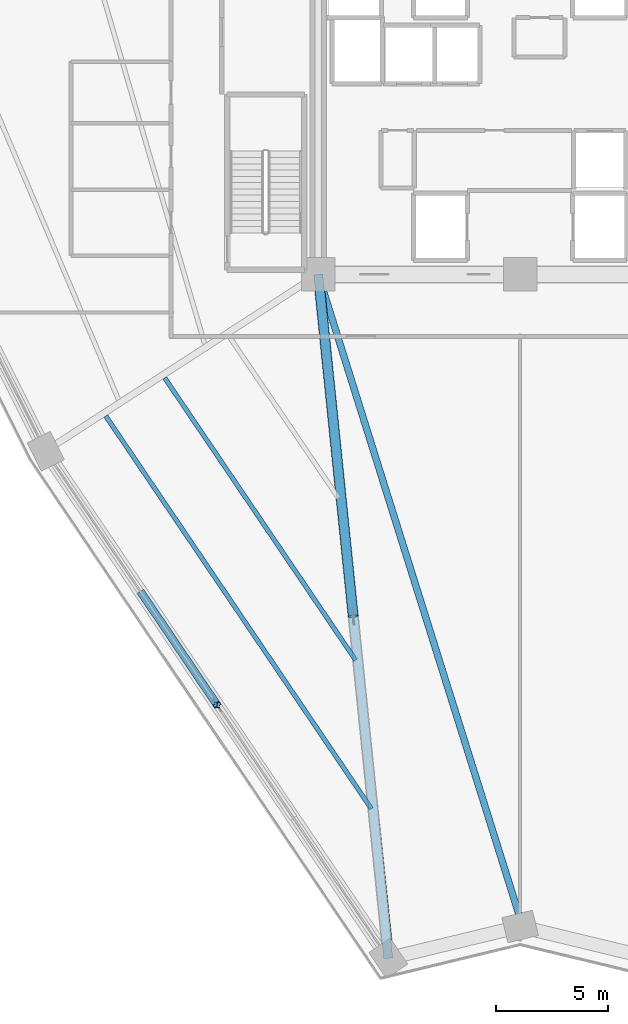
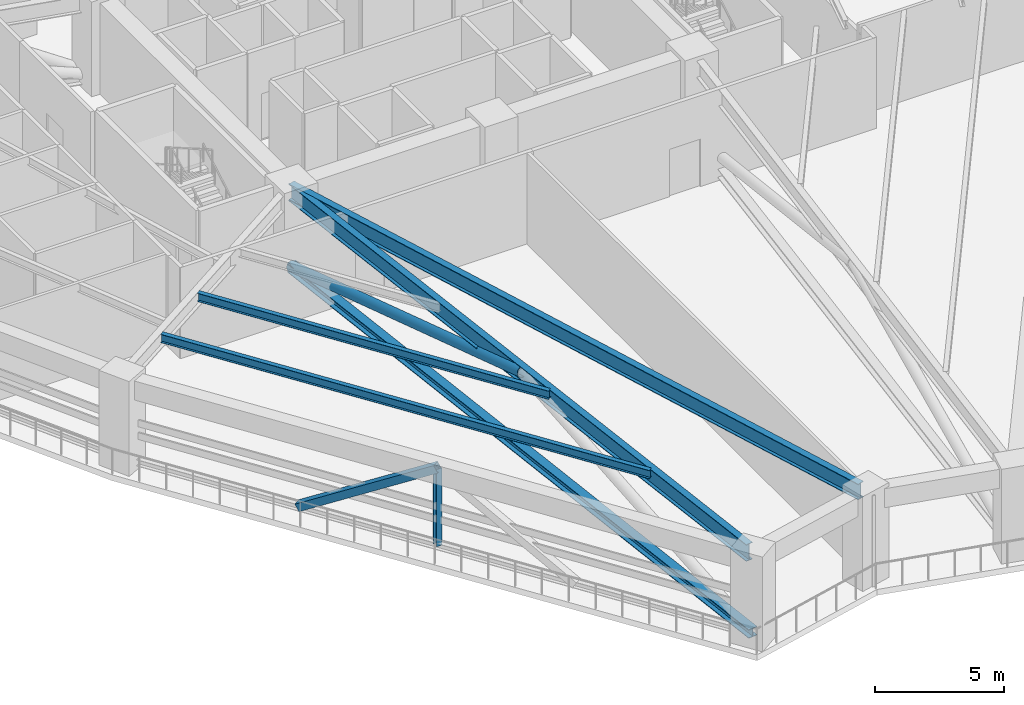
# One storey, part 2 of 23: 4 beams, 4 members.
"""IFC4 building model written with IfcOpenShell, lengths in metres."""

import ifcopenshell
import ifcopenshell.guid

model = None  # the IFC model being written
_history = None  # IfcOwnerHistory: only IFC2X3 demands one
_inside = {}  # id of a spatial element -> (the spatial element, [elements in it])
_under = {}  # id of a project, library or spatial element -> (it, [spatial elements below it])
_declared = {}  # id of a project -> (the project, [libraries it declares])
_typed = {}  # id of a type object -> (the type object, [elements of that type])
_made_of = {}  # id of a material, layer set ... -> (it, [elements and type objects made of it])


def new_model(schema):
    """Start an empty IFC model of exactly this schema.

    Asked for "IFC4X3", IfcOpenShell would pick the latest addendum, in which some entities
    have other attributes; the version numbers below select the first issue.
    IFC2X3 requires an IfcOwnerHistory on every rooted entity: one is made here for all.
    """
    global model, _history
    if schema == "IFC4X3":
        model = ifcopenshell.file(schema_version=(4, 3, 0, 0))
    else:
        model = ifcopenshell.file(schema=schema)
    _inside.clear()
    _under.clear()
    _declared.clear()
    _typed.clear()
    _made_of.clear()
    _history = None
    if model.schema == "IFC2X3":
        org = make("IfcOrganization", Name="unknown")
        user = make(
            "IfcPersonAndOrganization",
            ThePerson=make("IfcPerson", FamilyName="unknown"),
            TheOrganization=org,
        )
        app = make(
            "IfcApplication",
            ApplicationDeveloper=org,
            Version="unknown",
            ApplicationFullName="unknown",
            ApplicationIdentifier="unknown",
        )
        _history = make(
            "IfcOwnerHistory",
            OwningUser=user,
            OwningApplication=app,
            ChangeAction="ADDED",
            CreationDate=0,
        )
    return model


def make(cls, **values):
    """One entity of the class cls with the attributes given. An attribute that is None is left unset."""
    return model.create_entity(
        cls, **{name: value for name, value in values.items() if value is not None}
    )


def rooted(cls, **values):
    """An entity with a GlobalId (a new one), such as an element, a storey or a relation."""
    return make(cls, GlobalId=ifcopenshell.guid.new(), OwnerHistory=_history, **values)


def si_unit(unit_type, name, prefix=None):
    """IfcSIUnit, for example si_unit("LENGTHUNIT", "METRE", prefix="MILLI")."""
    return make("IfcSIUnit", UnitType=unit_type, Prefix=prefix, Name=name)


def assignment(units):
    """IfcUnitAssignment: the units of a project."""
    return None if units is None else make("IfcUnitAssignment", Units=units)


def point(xyz):
    """IfcCartesianPoint."""
    return None if xyz is None else make("IfcCartesianPoint", Coordinates=xyz)


def direction(xyz):
    """IfcDirection."""
    return None if xyz is None else make("IfcDirection", DirectionRatios=xyz)


def frame(location, z_axis=None, x_axis=None):
    """IfcAxis2Placement3D, a coordinate frame: its origin and axes. An axis left out is left unset."""
    return make(
        "IfcAxis2Placement3D",
        Location=point(location),
        Axis=direction(z_axis),
        RefDirection=direction(x_axis),
    )


def frame_2d(location, x_axis=None):
    """IfcAxis2Placement2D, a coordinate frame in the plane: its origin and x axis."""
    return make(
        "IfcAxis2Placement2D", Location=point(location), RefDirection=direction(x_axis)
    )


def origin():
    """The frame at (0, 0, 0) with its axes left unset."""
    return frame((0.0, 0.0, 0.0))


def origin_2d():
    """The frame at (0, 0) in the plane with its x axis left unset."""
    return frame_2d((0.0, 0.0))


def place(relative_to, where):
    """IfcLocalPlacement: puts the frame where relative to a parent placement (None: the world)."""
    return make(
        "IfcLocalPlacement", PlacementRelTo=relative_to, RelativePlacement=where
    )


def context(
    kind, dimensions, precision=None, world=None, true_north=None, identifier=None
):
    """IfcGeometricRepresentationContext, for example the 3D "Model" context."""
    return make(
        "IfcGeometricRepresentationContext",
        ContextIdentifier=identifier,
        ContextType=kind,
        CoordinateSpaceDimension=dimensions,
        Precision=precision,
        WorldCoordinateSystem=world,
        TrueNorth=true_north,
    )


def subcontext(parent, identifier, kind, view, scale=None):
    """IfcGeometricRepresentationSubContext, for example "Body" below "Model"."""
    return make(
        "IfcGeometricRepresentationSubContext",
        ContextIdentifier=identifier,
        ContextType=kind,
        ParentContext=parent,
        TargetScale=scale,
        TargetView=view,
    )


def project(units=None, contexts=None):
    """IfcProject with its units and contexts."""
    return rooted(
        "IfcProject",
        Name="project",
        RepresentationContexts=contexts,
        UnitsInContext=assignment(units),
    )


def spatial(cls, under=None, at=None, **own):
    """A site, building, storey or space (cls), placed at a placement, below another one or the project."""
    s = rooted(cls, ObjectPlacement=at, **own)
    if under is not None:
        _under.setdefault(under.id(), (under, []))[1].append(s)
    return s


def profile(cls, at=None, kind="AREA", **sizes):
    """A parametric profile (cls). Its sizes go by their IFC names, for example OverallWidth=200.0."""
    return make(cls, ProfileType=kind, Position=at, **sizes)


def hollow_rectangle(**sizes):
    """IfcRectangleHollowProfileDef."""
    return profile("IfcRectangleHollowProfileDef", **sizes)


def hollow_circle(**sizes):
    """IfcCircleHollowProfileDef."""
    return profile("IfcCircleHollowProfileDef", **sizes)


def i_section(**sizes):
    """IfcIShapeProfileDef."""
    return profile("IfcIShapeProfileDef", **sizes)


def extrude(swept, where, along, depth):
    """IfcExtrudedAreaSolid: the profile swept, set in the frame where, extruded along a direction by depth."""
    return make(
        "IfcExtrudedAreaSolid",
        SweptArea=swept,
        Position=where,
        ExtrudedDirection=direction(along),
        Depth=depth,
    )


def shape(context_of_items, identifier, shape_type, items):
    """IfcShapeRepresentation: the items that make up one representation, for example the "Body"."""
    return make(
        "IfcShapeRepresentation",
        ContextOfItems=context_of_items,
        RepresentationIdentifier=identifier,
        RepresentationType=shape_type,
        Items=items,
    )


def source(mapping_origin, context_of_items, identifier, shape_type, items):
    """IfcRepresentationMap: a shape defined once, which mapped items show again and again."""
    return make(
        "IfcRepresentationMap",
        MappingOrigin=mapping_origin,
        MappedRepresentation=shape(context_of_items, identifier, shape_type, items),
    )


def transform(
    local_origin,
    x_axis=None,
    y_axis=None,
    z_axis=None,
    scale=None,
    scale2=None,
    scale3=None,
    uniform=True,
):
    """IfcCartesianTransformationOperator3D, or its non-uniform kind. x_axis, y_axis, z_axis: its Axis1, 2, 3."""
    if uniform:
        return make(
            "IfcCartesianTransformationOperator3D",
            Axis1=direction(x_axis),
            Axis2=direction(y_axis),
            LocalOrigin=point(local_origin),
            Scale=scale,
            Axis3=direction(z_axis),
        )
    return make(
        "IfcCartesianTransformationOperator3DnonUniform",
        Axis1=direction(x_axis),
        Axis2=direction(y_axis),
        LocalOrigin=point(local_origin),
        Scale=scale,
        Axis3=direction(z_axis),
        Scale2=scale2,
        Scale3=scale3,
    )


def mapped(mapping_source, mapping_target):
    """IfcMappedItem: shows the shape of a source again, moved by a transform."""
    return make(
        "IfcMappedItem", MappingSource=mapping_source, MappingTarget=mapping_target
    )


def material(Name=None, Category=None):
    """IfcMaterial."""
    return make("IfcMaterial", Name=Name, Category=Category)


def material_profile(
    of_material, cross_section, Name=None, Category=None, Priority=None
):
    """IfcMaterialProfile: a cross section and its material."""
    return make(
        "IfcMaterialProfile",
        Name=Name,
        Material=of_material,
        Profile=cross_section,
        Priority=Priority,
        Category=Category,
    )


def profile_set(profiles, Name=None, composite=None):
    """IfcMaterialProfileSet."""
    return make(
        "IfcMaterialProfileSet",
        Name=Name,
        MaterialProfiles=profiles,
        CompositeProfile=composite,
    )


def made_of(thing, what):
    """Note that an element or type object is made of a material, layer set ...; save() writes the relation."""
    if what is not None:
        _made_of.setdefault(what.id(), (what, []))[1].append(thing)
    return thing


def type_object(cls, material=None, **own):
    """A type object (cls), such as IfcWallType, which elements share."""
    return made_of(rooted(cls, **own), material)


def element(
    cls,
    number,
    at=None,
    inside=None,
    cuts=None,
    type_object=None,
    material=None,
    context=None,
    identifier="Body",
    shape_type=None,
    held_by="IfcProductDefinitionShape",
    body=None,
    shapes=None,
    **own,
):
    """One element of the class cls, such as IfcWall. Its Tag is "e" and its number.

    at: its placement. inside: the storey or other place that contains it. cuts: it is an
    opening in that element (IfcRelVoidsElement). A single representation is given by context,
    identifier, shape_type and body (its items); several are given by shapes. held_by: the class
    of the entity that holds the representations. save() writes the other relations.
    """
    e = rooted(cls, Tag="e%d" % number, ObjectPlacement=at, **own)
    if body is not None:
        shapes = [shape(context, identifier, shape_type, body)]
    if shapes is not None:
        e.Representation = make(held_by, Representations=shapes)
    if inside is not None:
        _inside.setdefault(inside.id(), (inside, []))[1].append(e)
    if cuts is not None:
        rooted(
            "IfcRelVoidsElement", RelatingBuildingElement=cuts, RelatedOpeningElement=e
        )
    if type_object is not None:
        _typed.setdefault(type_object.id(), (type_object, []))[1].append(e)
    return made_of(e, material)


def aggregate(whole, parts):
    """IfcRelAggregates: a whole, such as a stair, and the parts it consists of."""
    return rooted("IfcRelAggregates", RelatingObject=whole, RelatedObjects=parts)


def save(model, path):
    """Write the relations noted so far, then the file.

    IfcRelAggregates (storeys below a building ...), IfcRelContainedInSpatialStructure (elements
    in a storey), IfcRelDefinesByType, IfcRelAssociatesMaterial and IfcRelDeclares: one each for
    every whole, place, type object, material and project.
    """
    for whole, parts in _under.values():
        aggregate(whole, parts)
    for where, things in _inside.values():
        rooted(
            "IfcRelContainedInSpatialStructure",
            RelatedElements=things,
            RelatingStructure=where,
        )
    for kind, things in _typed.values():
        rooted("IfcRelDefinesByType", RelatedObjects=things, RelatingType=kind)
    for what, things in _made_of.values():
        rooted("IfcRelAssociatesMaterial", RelatedObjects=things, RelatingMaterial=what)
    for by, libraries in _declared.values():
        rooted("IfcRelDeclares", RelatingContext=by, RelatedDefinitions=libraries)
    model.write(path)


model = new_model("IFC4")

# Units and contexts
model_context = context("Model", 3, precision=1e-05, world=origin(), true_north=direction((0.0, 1.0)))
body_context = subcontext(model_context, "Body", "Model", "MODEL_VIEW")
ifc_project = project(units=[si_unit("LENGTHUNIT", "METRE"), si_unit("AREAUNIT", "SQUARE_METRE"), si_unit("VOLUMEUNIT", "CUBIC_METRE"), si_unit("PLANEANGLEUNIT", "RADIAN"), si_unit("MASSUNIT", "GRAM", prefix="KILO")], contexts=[model_context])

# Site, building, storey
site_placement = place(None, origin())
site = spatial("IfcSite", under=ifc_project, at=site_placement, CompositionType="ELEMENT")
building_placement = place(site_placement, origin())
building = spatial("IfcBuilding", under=site, at=building_placement, Name="Liaohun Quay Tower", CompositionType="ELEMENT")
storey_placement = place(building_placement, frame((0.0, 0.0, 139.5)))
storey = spatial("IfcBuildingStorey", under=building, at=storey_placement, Name="L36", CompositionType="ELEMENT", Elevation=139.5)

# Member
ifc_material_1 = material(Name="Steel Q355D", Category="steel")
ifc_material_profile_1 = material_profile(ifc_material_1, i_section(OverallWidth=0.25, OverallDepth=0.25, WebThickness=0.009033203125, FlangeThickness=0.013916015625, at=origin_2d()), Name="HW250x250x9x14")
ifc_profile_set_1 = profile_set([ifc_material_profile_1], Name="Steel Q355D")
member_type_1 = type_object("IfcMemberType", Name="MEM-BLT-PST", PredefinedType="POST", material=ifc_profile_set_1)
shared_shape_1 = source(origin(), body_context, "Body", "SweptSolid", [
    extrude(i_section(OverallWidth=0.25, OverallDepth=0.25, WebThickness=0.009033203125, FlangeThickness=0.013916015625, at=origin_2d()), origin(), (0.0, 0.0, 1.0), 3.669921875),
])
member_1_placement = place(storey_placement, frame((46.489013671875, 27.31591796875, 0.35009765625), z_axis=(0.0, 0.0, 1.0), x_axis=(1.0, 0.0, 0.0)))
element("IfcMember", 1, at=member_1_placement, inside=storey, type_object=member_type_1, Name="L36 Belt Truss Vertical Post BP-1-01", PredefinedType="POST", context=body_context, shape_type="MappedRepresentation", body=[
    mapped(shared_shape_1, transform((0.0, 0.0, 0.0), x_axis=(1.0, 0.0, 0.0), y_axis=(0.0, 1.0, 0.0), z_axis=(0.0, 0.0, 1.0), scale=1.0)),
])

# Beams
ifc_material_profile_2 = material_profile(ifc_material_1, i_section(OverallWidth=0.300048828125, OverallDepth=0.800048828125, WebThickness=0.013916015625, FlangeThickness=0.02587890625, at=origin_2d()), Name="HN800x300x14x26")
ifc_profile_set_2 = profile_set([ifc_material_profile_2], Name="Steel Q355D")
beam_type_1 = type_object("IfcBeamType", Name="BM-RAD-M1", PredefinedType="BEAM", material=ifc_profile_set_2)
shared_shape_2 = source(origin(), body_context, "Body", "SweptSolid", [
    extrude(i_section(OverallWidth=0.300048828125, OverallDepth=0.800048828125, WebThickness=0.013916015625, FlangeThickness=0.02587890625, at=origin_2d()), origin(), (0.0, 0.0, 1.0), 30.27001953125),
])
beam_1_placement = place(storey_placement, frame((51.0, 46.5, 3.919921875), z_axis=(0.105221328918, -0.994448828216, 0.0), x_axis=(0.994448828216, 0.105221328918, 0.0)))
element("IfcBeam", 2, at=beam_1_placement, inside=storey, type_object=beam_type_1, Name="L36 Radial Primary Girder CC1-PC01", PredefinedType="BEAM", context=body_context, shape_type="MappedRepresentation", body=[
    mapped(shared_shape_2, transform((0.0, 0.0, 0.0), x_axis=(1.0, 0.0, 0.0), y_axis=(0.0, 1.0, 0.0), z_axis=(0.0, 0.0, 1.0), scale=1.0)),
])
ifc_material_profile_3 = material_profile(ifc_material_1, i_section(OverallWidth=0.300048828125, OverallDepth=0.75, WebThickness=0.013916015625, FlangeThickness=0.02587890625, at=origin_2d()), Name="HN750x300x14x26")
ifc_profile_set_3 = profile_set([ifc_material_profile_3], Name="Steel Q355D")
beam_type_2 = type_object("IfcBeamType", Name="BM-RAD-M2", PredefinedType="BEAM", material=ifc_profile_set_3)
shared_shape_3 = source(origin(), body_context, "Body", "SweptSolid", [
    extrude(i_section(OverallWidth=0.300048828125, OverallDepth=0.75, WebThickness=0.013916015625, FlangeThickness=0.02587890625, at=origin_2d()), origin(), (0.0, 0.0, 1.0), 30.076171875),
])
beam_2_placement = place(storey_placement, frame((51.0, 46.5, 3.945068359375), z_axis=(0.299240379571, -0.954177758719, 0.0), x_axis=(0.954177758719, 0.299240379571, 0.0)))
element("IfcBeam", 3, at=beam_2_placement, inside=storey, type_object=beam_type_2, Name="L36 Radial Primary Girder CC1-PC12", PredefinedType="BEAM", context=body_context, shape_type="MappedRepresentation", body=[
    mapped(shared_shape_3, transform((0.0, 0.0, 0.0), x_axis=(1.0, 0.0, 0.0), y_axis=(0.0, 1.0, 0.0), z_axis=(0.0, 0.0, 1.0), scale=1.0)),
])
ifc_material_profile_4 = material_profile(ifc_material_1, i_section(OverallWidth=0.199951171875, OverallDepth=0.39990234375, WebThickness=0.008056640625, FlangeThickness=0.012939453125, at=origin_2d()), Name="HN400x200x8x13")
ifc_profile_set_4 = profile_set([ifc_material_profile_4], Name="Steel Q355D")
beam_type_3 = type_object("IfcBeamType", Name="BM-SEC-J2", PredefinedType="JOIST", material=ifc_profile_set_4)
shared_shape_4 = source(origin(), body_context, "Body", "SweptSolid", [
    extrude(i_section(OverallWidth=0.199951171875, OverallDepth=0.39990234375, WebThickness=0.008056640625, FlangeThickness=0.012939453125, at=origin_2d()), origin(), (0.0, 0.0, 1.0), 15.19189453125),
])
beam_3_placement = place(storey_placement, frame((52.66796875, 29.304931640625, 4.1201171875), z_axis=(-0.560232188931, 0.828335617057, 0.0), x_axis=(-0.828335617057, -0.560232188931, 0.0)))
element("IfcBeam", 4, at=beam_3_placement, inside=storey, type_object=beam_type_3, Name="L36 Wing Secondary Floor Joist SJ-02", PredefinedType="JOIST", context=body_context, shape_type="MappedRepresentation", body=[
    mapped(shared_shape_4, transform((0.0, 0.0, 0.0), x_axis=(1.0, 0.0, 0.0), y_axis=(0.0, 1.0, 0.0), z_axis=(0.0, 0.0, 1.0), scale=1.0)),
])
shared_shape_5 = source(origin(), body_context, "Body", "SweptSolid", [
    extrude(i_section(OverallWidth=0.199951171875, OverallDepth=0.39990234375, WebThickness=0.008056640625, FlangeThickness=0.012939453125, at=origin_2d()), origin(), (0.0, 0.0, 1.0), 21.13232421875),
])
beam_4_placement = place(storey_placement, frame((53.368896484375, 22.68310546875, 4.1201171875), z_axis=(-0.560222645982, 0.828342071206, 0.0), x_axis=(-0.828342071206, -0.560222645982, 0.0)))
element("IfcBeam", 5, at=beam_4_placement, inside=storey, type_object=beam_type_3, Name="L36 Wing Secondary Floor Joist SJ-03", PredefinedType="JOIST", context=body_context, shape_type="MappedRepresentation", body=[
    mapped(shared_shape_5, transform((0.0, 0.0, 0.0), x_axis=(1.0, 0.0, 0.0), y_axis=(0.0, 1.0, 0.0), z_axis=(0.0, 0.0, 1.0), scale=1.0)),
])

# Members
ifc_material_2 = material(Name="Steel Q420D", Category="steel")
ifc_material_profile_5 = material_profile(ifc_material_2, i_section(OverallWidth=0.405029296875, OverallDepth=0.4140625, WebThickness=0.01806640625, FlangeThickness=0.028076171875, at=origin_2d()), Name="HW414x405x18x28")
ifc_profile_set_5 = profile_set([ifc_material_profile_5], Name="Steel Q420D")
member_type_2 = type_object("IfcMemberType", Name="MEM-OUT-CHD", PredefinedType="CHORD", material=ifc_profile_set_5)
shared_shape_6 = source(origin(), body_context, "Body", "SweptSolid", [
    extrude(i_section(OverallWidth=0.405029296875, OverallDepth=0.4140625, WebThickness=0.01806640625, FlangeThickness=0.028076171875, at=origin_2d()), origin(), (0.0, 0.0, 1.0), 30.644775390625),
])
member_2_placement = place(storey_placement, frame((51.0, 46.5, 0.35009765625), z_axis=(0.101911617186, -0.994793457097, 0.0), x_axis=(0.994793457097, 0.101911617186, 0.0)))
element("IfcMember", 6, at=member_2_placement, inside=storey, type_object=member_type_2, Name="L36 Outrigger Bottom Chord OC-01", PredefinedType="CHORD", context=body_context, shape_type="MappedRepresentation", body=[
    mapped(shared_shape_6, transform((0.0, 0.0, 0.0), x_axis=(1.0, 0.0, 0.0), y_axis=(0.0, 1.0, 0.0), z_axis=(0.0, 0.0, 1.0), scale=1.0)),
])
ifc_material_profile_6 = material_profile(ifc_material_2, hollow_circle(Radius=0.228515625, WallThickness=0.02001953125, at=origin_2d()), Name="CHS457x20")
ifc_profile_set_6 = profile_set([ifc_material_profile_6], Name="Steel Q420D")
member_type_3 = type_object("IfcMemberType", Name="MEM-OUT-DG1", PredefinedType="BRACE", material=ifc_profile_set_6)
shared_shape_7 = source(origin(), body_context, "Body", "SweptSolid", [
    extrude(hollow_circle(Radius=0.228515625, WallThickness=0.02001953125, at=origin_2d()), origin(), (0.0, 0.0, 1.0), 15.755126953125),
])
member_3_placement = place(storey_placement, frame((51.0, 46.5, 0.35009765625), z_axis=(0.099081495567, -0.967431474777, 0.23293604025), x_axis=(0.99479627386, 0.101884118067, 0.0)))
element("IfcMember", 7, at=member_3_placement, inside=storey, type_object=member_type_3, Name="L36 Outrigger Diagonal OD-01A", PredefinedType="BRACE", context=body_context, shape_type="MappedRepresentation", body=[
    mapped(shared_shape_7, transform((0.0, 0.0, 0.0), x_axis=(1.0, 0.0, 0.0), y_axis=(0.0, 1.0, 0.0), z_axis=(0.0, 0.0, 1.0), scale=1.0)),
])
ifc_material_profile_7 = material_profile(ifc_material_1, hollow_rectangle(XDim=0.35009765625, YDim=0.35009765625, WallThickness=0.01611328125, at=origin_2d()), Name="SHS350x350x16")
ifc_profile_set_7 = profile_set([ifc_material_profile_7], Name="Steel Q355D")
member_type_4 = type_object("IfcMemberType", Name="MEM-BLT-DG2", PredefinedType="BRACE", material=ifc_profile_set_7)
shared_shape_8 = source(origin(), body_context, "Body", "SweptSolid", [
    extrude(hollow_rectangle(XDim=0.35009765625, YDim=0.35009765625, WallThickness=0.01611328125, at=origin_2d()), origin(), (0.0, 0.0, 1.0), 7.0341796875),
])
member_4_placement = place(storey_placement, frame((46.489013671875, 27.31591796875, 4.02001953125), z_axis=(-0.477676060984, 0.706848118724, -0.52171957776), x_axis=(-0.828547651067, -0.559918556498, 0.0)))
element("IfcMember", 8, at=member_4_placement, inside=storey, type_object=member_type_4, Name="L36 Belt Truss Diagonal BD-01B", PredefinedType="BRACE", context=body_context, shape_type="MappedRepresentation", body=[
    mapped(shared_shape_8, transform((0.0, 0.0, 0.0), x_axis=(1.0, 0.0, 0.0), y_axis=(0.0, 1.0, 0.0), z_axis=(0.0, 0.0, 1.0), scale=1.0)),
])

save(model, "model.ifc")
